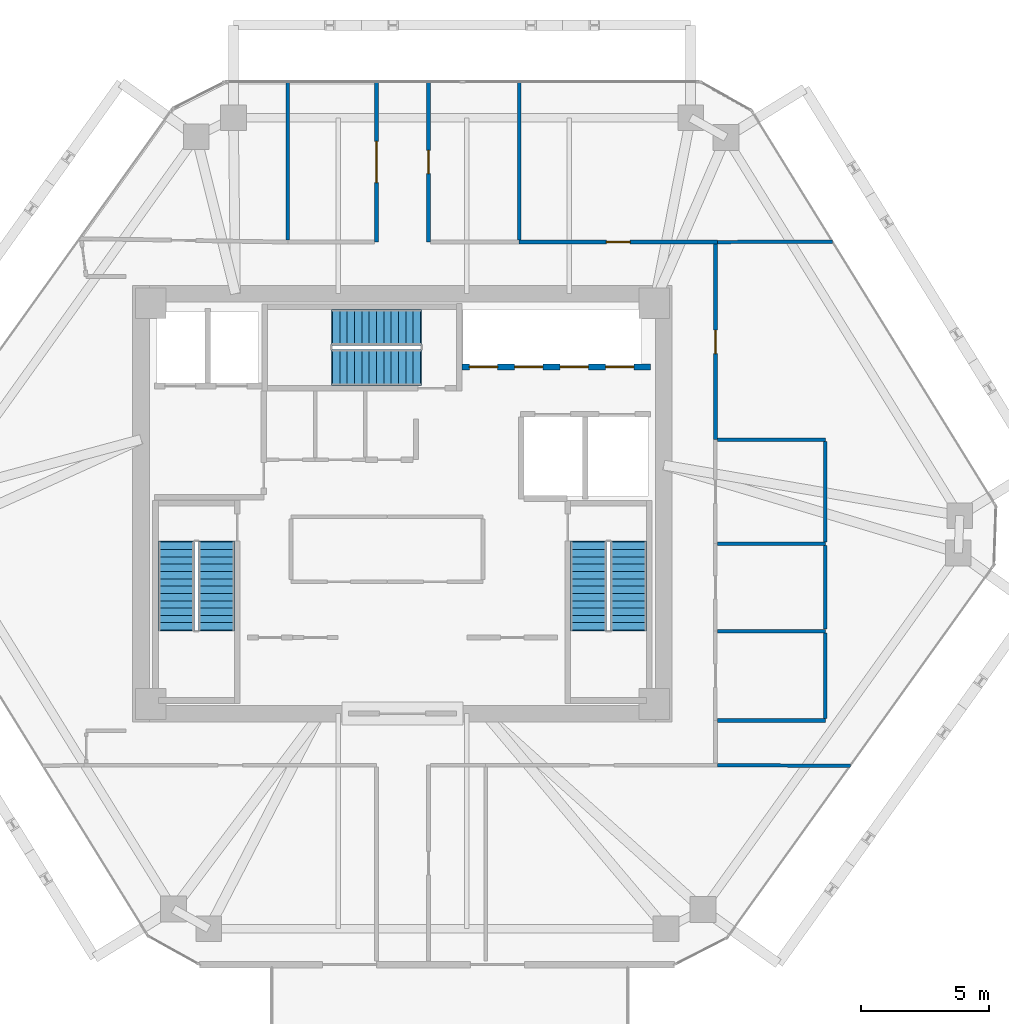
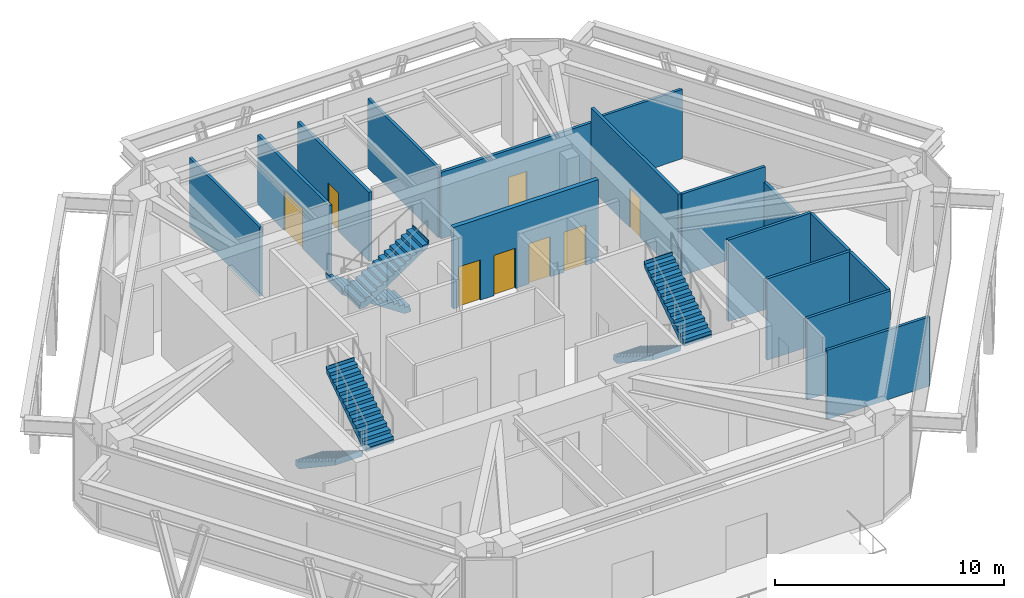
# One storey, part 10 of 12: 16 walls, 8 doors, 6 stair flights, 8 openings, 3 elements without a shape of their own.
"""IFC4 building model written with IfcOpenShell, lengths in metres."""

from ifc_helpers import new_model, si_unit, direction, frame, frame_2d, origin, place, context, subcontext, project, spatial, polyline, rectangle, outline, extrude, source, transform, mapped, material, layer, layer_set, type_object, type_shapes, element, fill, aggregate, save


model = new_model("IFC4")

# Units and contexts
model_context = context("Model", 3, precision=1e-05, world=origin(), true_north=direction((0.0, 1.0)))
body_context = subcontext(model_context, "Body", "Model", "MODEL_VIEW")
ifc_project = project(units=[si_unit("LENGTHUNIT", "METRE"), si_unit("AREAUNIT", "SQUARE_METRE"), si_unit("VOLUMEUNIT", "CUBIC_METRE"), si_unit("PLANEANGLEUNIT", "RADIAN"), si_unit("MASSUNIT", "GRAM", prefix="KILO")], contexts=[model_context])

# Site, building, storey
site_placement = place(None, origin())
site = spatial("IfcSite", under=ifc_project, at=site_placement, CompositionType="ELEMENT")
building_placement = place(site_placement, origin())
building = spatial("IfcBuilding", under=site, at=building_placement, Name="Durnholm Broadcast Tower", CompositionType="ELEMENT")
storey_placement = place(building_placement, frame((0.0, 0.0, 162.60009765625)))
storey = spatial("IfcBuildingStorey", under=building, at=storey_placement, Name="L44", CompositionType="ELEMENT", Elevation=162.60009765625)

# Walls
ifc_material_1 = material(Name="Gypsum Metal Stud Partition", Category="concrete")
ifc_layer_1 = layer(ifc_material_1, 0.135009765625)
ifc_layer_set_1 = layer_set([ifc_layer_1], Name="Gypsum Metal Stud Partition")
wall_type_1 = type_object("IfcWallType", Name="WALL-PART-135", PredefinedType="PARTITIONING", material=ifc_layer_set_1)
for number, where, z_axis, x_axis, name in (
    (1, (-4.4599609375, 16.41796875, 0.0), (0.0, 0.0, 1.0), (0.0, -1.0, 0.0), "L44 room dividing partition 12.13"),
    (2, (4.5400390625, 16.41796875, 0.0), (0.0, 0.0, 1.0), (0.0, -1.0, 0.0), "L44 room dividing partition 14.15"),
):
    element("IfcWall", number, at=place(storey_placement, frame(where, z_axis=z_axis, x_axis=x_axis)), inside=storey, type_object=wall_type_1, Name=name, PredefinedType="PARTITIONING", context=body_context, shape_type="SweptSolid", body=[
        extrude(rectangle(XDim=6.158935546875, YDim=0.135009765625, at=frame_2d((3.07958984375, 0.0))), origin(), (0.0, 0.0, 1.0), 3.69873046875),
    ])
wall_1_placement = place(storey_placement, frame((16.739990234375, 10.200927734375, 0.0), z_axis=(0.0, 0.0, 1.0), x_axis=(-0.999989522694, -0.004577608714, 0.0)))
element("IfcWall", 3, at=wall_1_placement, inside=storey, type_object=wall_type_1, Name="L44 room dividing partition 15.21", PredefinedType="PARTITIONING", context=body_context, shape_type="SweptSolid", body=[
    extrude(rectangle(XDim=4.47998046875, YDim=0.135009765625, at=frame_2d((2.239990234375, 0.0))), origin(), (0.0, 0.0, 1.0), 3.69873046875),
])
wall_2_placement = place(storey_placement, frame((12.260009765625, -10.180419921875, 0.0), z_axis=(0.0, 0.0, 1.0), x_axis=(0.999990144117, -0.004439782427, 0.0)))
element("IfcWall", 4, at=wall_2_placement, inside=storey, type_object=wall_type_1, Name="L44 room dividing partition 18.21", PredefinedType="PARTITIONING", context=body_context, shape_type="SweptSolid", body=[
    extrude(rectangle(XDim=5.1689453125, YDim=0.135009765625, at=frame_2d((2.58447265625, 0.0))), origin(), (0.0, 0.0, 1.0), 3.69873046875),
])

# Wall, opening, door
ifc_material_2 = material(Name="Acoustic Gypsum Stud Partition", Category="concrete")
ifc_layer_2 = layer(ifc_material_2, 0.14990234375)
ifc_layer_set_2 = layer_set([ifc_layer_2], Name="Acoustic Gypsum Stud Partition")
wall_type_2 = type_object("IfcWallType", Name="WALL-PART-150", PredefinedType="PARTITIONING", material=ifc_layer_set_2)
wall_3_placement = place(storey_placement, frame((-1.010009765625, 16.41796875, 0.0), z_axis=(0.0, 0.0, 1.0), x_axis=(0.0, -1.0, 0.0)))
wall_3 = element("IfcWall", 5, at=wall_3_placement, inside=storey, type_object=wall_type_2, Name="L44 Fitness Wellness Hall corridor partition", PredefinedType="PARTITIONING", context=body_context, shape_type="SweptSolid", body=[
    extrude(rectangle(XDim=6.238037109375, YDim=0.14990234375, at=frame_2d((3.119140625, 0.0))), origin(), (0.0, 0.0, 1.0), 3.69873046875),
])
opening_1_placement = place(wall_3_placement, frame((2.319091796875, 0.0, 0.0)))
opening_1 = element("IfcOpeningElement", 6, at=opening_1_placement, cuts=wall_3, Name="Opening DST-160", PredefinedType="OPENING", context=body_context, shape_type="SweptSolid", body=[
    extrude(rectangle(XDim=1.60009765625, YDim=2.14990234375, at=frame_2d((0.800048828125, 1.074951171875))), frame((0.0, 0.0849609375, 0.0), z_axis=(0.0, -1.0, 0.0), x_axis=(1.0, 0.0, 0.0)), (0.0, 0.0, 1.0), 0.169921875),
])
ifc_material_3 = material(Name="Acoustic Broadcast Studio Sound-Lock Door", Category="steel")
ifc_layer_3 = layer(ifc_material_3, 0.050048828125)
ifc_layer_set_3 = layer_set([ifc_layer_3], Name="Acoustic Broadcast Studio Sound-Lock Door")
door_type_1 = type_object("IfcDoorType", Name="DOOR-STU-1600", OperationType="DOUBLE_DOOR_SINGLE_SWING", PredefinedType="DOOR", material=ifc_layer_set_3)
shared_shape_1 = source(origin(), body_context, "Body", "SweptSolid", [
    extrude(rectangle(XDim=1.60009765625, YDim=2.14990234375, at=frame_2d((0.800048828125, 1.074951171875))), frame((0.0, 0.02490234375, 0.0), z_axis=(0.0, -1.0, 0.0), x_axis=(1.0, 0.0, 0.0)), (0.0, 0.0, 1.0), 0.050048828125),
])
type_shapes(door_type_1, [shared_shape_1])
door_1_placement = place(opening_1_placement, origin())
door_1 = element("IfcDoor", 7, at=door_1_placement, inside=storey, type_object=door_type_1, Name="L44 Fitness Wellness Hall entrance door", OperationType="DOUBLE_DOOR_SINGLE_SWING", OverallHeight=2.14990234375, OverallWidth=1.60009765625, PredefinedType="DOOR", context=body_context, shape_type="MappedRepresentation", body=[
    mapped(shared_shape_1, transform((0.0, 0.0, 0.0), x_axis=(1.0, 0.0, 0.0), y_axis=(0.0, 1.0, 0.0), z_axis=(0.0, 0.0, 1.0), scale=1.0)),
])
fill(opening_1, door_1)

wall_4_placement = place(storey_placement, frame((1.010009765625, 10.179931640625, 0.0), z_axis=(0.0, 0.0, 1.0), x_axis=(0.0, 1.0, 0.0)))
wall_4 = element("IfcWall", 8, at=wall_4_placement, inside=storey, type_object=wall_type_2, Name="L44 Pool Locker Store corridor partition", PredefinedType="PARTITIONING", context=body_context, shape_type="SweptSolid", body=[
    extrude(rectangle(XDim=6.238037109375, YDim=0.14990234375, at=frame_2d((3.119140625, 0.0))), origin(), (0.0, 0.0, 1.0), 3.69873046875),
])
opening_2_placement = place(wall_4_placement, frame((2.6689453125, 0.0, 0.0)))
opening_2 = element("IfcOpeningElement", 9, at=opening_2_placement, cuts=wall_4, Name="Opening DC-60L", PredefinedType="OPENING", context=body_context, shape_type="SweptSolid", body=[
    extrude(rectangle(XDim=0.89990234375, YDim=2.050048828125, at=frame_2d((0.449951171875, 1.02490234375))), frame((0.0, 0.0849609375, 0.0), z_axis=(0.0, -1.0, 0.0), x_axis=(1.0, 0.0, 0.0)), (0.0, 0.0, 1.0), 0.169921875),
])
ifc_material_4 = material(Name="Fire-Rated Core Service Door", Category="steel")
ifc_layer_4 = layer(ifc_material_4, 0.050048828125)
ifc_layer_set_4 = layer_set([ifc_layer_4], Name="Fire-Rated Core Service Door")
door_type_2 = type_object("IfcDoorType", Name="DOOR-CORE-FD60-L", OperationType="NOTDEFINED", PredefinedType="DOOR", material=ifc_layer_set_4)
shared_shape_2 = source(origin(), body_context, "Body", "SweptSolid", [
    extrude(rectangle(XDim=0.89990234375, YDim=2.050048828125, at=frame_2d((0.449951171875, 1.02490234375))), frame((0.0, 0.02490234375, 0.0), z_axis=(0.0, -1.0, 0.0), x_axis=(1.0, 0.0, 0.0)), (0.0, 0.0, 1.0), 0.050048828125),
])
type_shapes(door_type_2, [shared_shape_2])
door_2_placement = place(opening_2_placement, origin())
door_2 = element("IfcDoor", 10, at=door_2_placement, inside=storey, type_object=door_type_2, Name="L44 Pool Locker Store entrance door", OperationType="SINGLE_SWING_LEFT", OverallHeight=2.050048828125, OverallWidth=0.89990234375, PredefinedType="DOOR", context=body_context, shape_type="MappedRepresentation", body=[
    mapped(shared_shape_2, transform((0.0, 0.0, 0.0), x_axis=(1.0, 0.0, 0.0), y_axis=(0.0, 1.0, 0.0), z_axis=(0.0, 0.0, 1.0), scale=1.0)),
])
fill(opening_2, door_2)

wall_5_placement = place(storey_placement, frame((12.260009765625, 10.179931640625, 0.0), z_axis=(0.0, 0.0, 1.0), x_axis=(-1.0, 0.0, 0.0)))
wall_5 = element("IfcWall", 11, at=wall_5_placement, inside=storey, type_object=wall_type_2, Name="L44 Open Plan Broadcast Workspace 5 corridor partition", PredefinedType="PARTITIONING", context=body_context, shape_type="SweptSolid", body=[
    extrude(rectangle(XDim=7.719970703125, YDim=0.14990234375, at=frame_2d((3.85986328125, 0.0))), origin(), (0.0, 0.0, 1.0), 3.541748046875),
])
opening_3_placement = place(wall_5_placement, frame((3.39990234375, 0.0, 0.0)))
opening_3 = element("IfcOpeningElement", 12, at=opening_3_placement, cuts=wall_5, Name="Opening DR-92R", PredefinedType="OPENING", context=body_context, shape_type="SweptSolid", body=[
    extrude(rectangle(XDim=0.919921875, YDim=2.10009765625, at=frame_2d((0.4599609375, 1.050048828125))), frame((0.0, 0.0849609375, 0.0), z_axis=(0.0, -1.0, 0.0), x_axis=(1.0, 0.0, 0.0)), (0.0, 0.0, 1.0), 0.169921875),
])
ifc_material_5 = material(Name="Oak Veneer Office Door", Category="wood")
ifc_layer_5 = layer(ifc_material_5, 0.050048828125)
ifc_layer_set_5 = layer_set([ifc_layer_5], Name="Oak Veneer Office Door")
door_type_3 = type_object("IfcDoorType", Name="DOOR-RM-920R", OperationType="NOTDEFINED", PredefinedType="DOOR", material=ifc_layer_set_5)
shared_shape_3 = source(origin(), body_context, "Body", "SweptSolid", [
    extrude(rectangle(XDim=0.919921875, YDim=2.10009765625, at=frame_2d((0.4599609375, 1.050048828125))), frame((0.0, 0.02490234375, 0.0), z_axis=(0.0, -1.0, 0.0), x_axis=(1.0, 0.0, 0.0)), (0.0, 0.0, 1.0), 0.050048828125),
])
type_shapes(door_type_3, [shared_shape_3])
door_3_placement = place(opening_3_placement, origin())
door_3 = element("IfcDoor", 13, at=door_3_placement, inside=storey, type_object=door_type_3, Name="L44 Open Plan Broadcast Workspace 5 entrance door", OperationType="SINGLE_SWING_RIGHT", OverallHeight=2.10009765625, OverallWidth=0.919921875, PredefinedType="DOOR", context=body_context, shape_type="MappedRepresentation", body=[
    mapped(shared_shape_3, transform((0.0, 0.0, 0.0), x_axis=(1.0, 0.0, 0.0), y_axis=(0.0, 1.0, 0.0), z_axis=(0.0, 0.0, 1.0), scale=1.0)),
])
fill(opening_3, door_3)

wall_6_placement = place(storey_placement, frame((12.179931640625, 2.489990234375, 0.0), z_axis=(0.0, 0.0, 1.0), x_axis=(0.0, 1.0, 0.0)))
wall_6 = element("IfcWall", 14, at=wall_6_placement, inside=storey, type_object=wall_type_2, Name="L44 Club Dining Room corridor partition", PredefinedType="PARTITIONING", context=body_context, shape_type="SweptSolid", body=[
    extrude(rectangle(XDim=7.611083984375, YDim=0.14990234375, at=frame_2d((3.8056640625, 0.0))), origin(), (0.0, 0.0, 1.0), 4.344970703125),
])
opening_4_placement = place(wall_6_placement, frame((3.345458984375, 0.0, 0.0)))
opening_4 = element("IfcOpeningElement", 15, at=opening_4_placement, cuts=wall_6, Name="Opening DR-92R", PredefinedType="OPENING", context=body_context, shape_type="SweptSolid", body=[
    extrude(rectangle(XDim=0.919921875, YDim=2.10009765625, at=frame_2d((0.4599609375, 1.050048828125))), frame((0.0, 0.0849609375, 0.0), z_axis=(0.0, -1.0, 0.0), x_axis=(1.0, 0.0, 0.0)), (0.0, 0.0, 1.0), 0.169921875),
])
door_4_placement = place(opening_4_placement, origin())
door_4 = element("IfcDoor", 16, at=door_4_placement, inside=storey, type_object=door_type_3, Name="L44 Club Dining Room entrance door", OperationType="SINGLE_SWING_RIGHT", OverallHeight=2.10009765625, OverallWidth=0.919921875, PredefinedType="DOOR", context=body_context, shape_type="MappedRepresentation", body=[
    mapped(shared_shape_3, transform((0.0, 0.0, 0.0), x_axis=(1.0, 0.0, 0.0), y_axis=(0.0, 1.0, 0.0), z_axis=(0.0, 0.0, 1.0), scale=1.0)),
])
fill(opening_4, door_4)

# Wall, openings, doors
ifc_material_6 = material(Name="Concrete Blockwork C30/37", Category="masonry")
ifc_layer_6 = layer(ifc_material_6, 0.219970703125)
ifc_layer_set_6 = layer_set([ifc_layer_6], Name="Concrete Blockwork C30/37")
wall_type_3 = type_object("IfcWallType", Name="WALL-SHAFT-220", PredefinedType="SOLIDWALL", material=ifc_layer_set_6)
wall_7_placement = place(storey_placement, frame((2.324951171875, 5.320068359375, 0.0), z_axis=(0.0, 0.0, 1.0), x_axis=(1.0, 0.0, 0.0)))
wall_7 = element("IfcWall", 17, at=wall_7_placement, inside=storey, type_object=wall_type_3, Name="L44 high-rise bank P3 south front wall", PredefinedType="SOLIDWALL", context=body_context, shape_type="SweptSolid", body=[
    extrude(rectangle(XDim=7.324951171875, YDim=0.219970703125, at=frame_2d((3.66259765625, 0.0))), origin(), (0.0, 0.0, 1.0), 4.344970703125),
])
opening_5_placement = place(wall_7_placement, frame((0.27490234375, 0.0, 0.0)))
opening_5 = element("IfcOpeningElement", 18, at=opening_5_placement, cuts=wall_7, Name="Opening LD-LP3-1", PredefinedType="OPENING", context=body_context, shape_type="SweptSolid", body=[
    extrude(rectangle(XDim=1.10009765625, YDim=2.14990234375, at=frame_2d((0.550048828125, 1.074951171875))), frame((0.0, 0.1201171875, 0.0), z_axis=(0.0, -1.0, 0.0), x_axis=(1.0, 0.0, 0.0)), (0.0, 0.0, 1.0), 0.239990234375),
])
opening_6_placement = place(wall_7_placement, frame((2.044921875, 0.0, 0.0)))
opening_6 = element("IfcOpeningElement", 19, at=opening_6_placement, cuts=wall_7, Name="Opening LD-LP3-2", PredefinedType="OPENING", context=body_context, shape_type="SweptSolid", body=[
    extrude(rectangle(XDim=1.10009765625, YDim=2.14990234375, at=frame_2d((0.550048828125, 1.074951171875))), frame((0.0, 0.1201171875, 0.0), z_axis=(0.0, -1.0, 0.0), x_axis=(1.0, 0.0, 0.0)), (0.0, 0.0, 1.0), 0.239990234375),
])
opening_7_placement = place(wall_7_placement, frame((3.81494140625, 0.0, 0.0)))
opening_7 = element("IfcOpeningElement", 20, at=opening_7_placement, cuts=wall_7, Name="Opening LD-LP3-3", PredefinedType="OPENING", context=body_context, shape_type="SweptSolid", body=[
    extrude(rectangle(XDim=1.10009765625, YDim=2.14990234375, at=frame_2d((0.550048828125, 1.074951171875))), frame((0.0, 0.1201171875, 0.0), z_axis=(0.0, -1.0, 0.0), x_axis=(1.0, 0.0, 0.0)), (0.0, 0.0, 1.0), 0.239990234375),
])
opening_8_placement = place(wall_7_placement, frame((5.5849609375, 0.0, 0.0)))
opening_8 = element("IfcOpeningElement", 21, at=opening_8_placement, cuts=wall_7, Name="Opening LD-LP3-4", PredefinedType="OPENING", context=body_context, shape_type="SweptSolid", body=[
    extrude(rectangle(XDim=1.10009765625, YDim=2.14990234375, at=frame_2d((0.550048828125, 1.074951171875))), frame((0.0, 0.1201171875, 0.0), z_axis=(0.0, -1.0, 0.0), x_axis=(1.0, 0.0, 0.0)), (0.0, 0.0, 1.0), 0.239990234375),
])
ifc_material_7 = material(Name="Stainless Steel Sliding Elevator Landing Door", Category="steel")
ifc_layer_7 = layer(ifc_material_7, 0.050048828125)
ifc_layer_set_7 = layer_set([ifc_layer_7], Name="Stainless Steel Sliding Elevator Landing Door")
door_type_4 = type_object("IfcDoorType", Name="DOOR-LIFT-PAX", OperationType="DOUBLE_DOOR_SLIDING", PredefinedType="DOOR", material=ifc_layer_set_7)
shared_shape_4 = source(origin(), body_context, "Body", "SweptSolid", [
    extrude(rectangle(XDim=1.10009765625, YDim=2.14990234375, at=frame_2d((0.550048828125, 1.074951171875))), frame((0.0, 0.02490234375, 0.0), z_axis=(0.0, -1.0, 0.0), x_axis=(1.0, 0.0, 0.0)), (0.0, 0.0, 1.0), 0.050048828125),
])
type_shapes(door_type_4, [shared_shape_4])
door_5_placement = place(opening_5_placement, origin())
door_5 = element("IfcDoor", 22, at=door_5_placement, inside=storey, type_object=door_type_4, Name="L44 high-rise elevator LP3-1 sliding landing door", OperationType="DOUBLE_DOOR_SLIDING", OverallHeight=2.14990234375, OverallWidth=1.10009765625, PredefinedType="DOOR", context=body_context, shape_type="MappedRepresentation", body=[
    mapped(shared_shape_4, transform((0.0, 0.0, 0.0), x_axis=(1.0, 0.0, 0.0), y_axis=(0.0, 1.0, 0.0), z_axis=(0.0, 0.0, 1.0), scale=1.0)),
])
fill(opening_5, door_5)
door_6_placement = place(opening_6_placement, origin())
door_6 = element("IfcDoor", 23, at=door_6_placement, inside=storey, type_object=door_type_4, Name="L44 high-rise elevator LP3-2 sliding landing door", OperationType="DOUBLE_DOOR_SLIDING", OverallHeight=2.14990234375, OverallWidth=1.10009765625, PredefinedType="DOOR", context=body_context, shape_type="MappedRepresentation", body=[
    mapped(shared_shape_4, transform((0.0, 0.0, 0.0), x_axis=(1.0, 0.0, 0.0), y_axis=(0.0, 1.0, 0.0), z_axis=(0.0, 0.0, 1.0), scale=1.0)),
])
fill(opening_6, door_6)
door_7_placement = place(opening_7_placement, origin())
door_7 = element("IfcDoor", 24, at=door_7_placement, inside=storey, type_object=door_type_4, Name="L44 high-rise elevator LP3-3 sliding landing door", OperationType="DOUBLE_DOOR_SLIDING", OverallHeight=2.14990234375, OverallWidth=1.10009765625, PredefinedType="DOOR", context=body_context, shape_type="MappedRepresentation", body=[
    mapped(shared_shape_4, transform((0.0, 0.0, 0.0), x_axis=(1.0, 0.0, 0.0), y_axis=(0.0, 1.0, 0.0), z_axis=(0.0, 0.0, 1.0), scale=1.0)),
])
fill(opening_7, door_7)
door_8_placement = place(opening_8_placement, origin())
door_8 = element("IfcDoor", 25, at=door_8_placement, inside=storey, type_object=door_type_4, Name="L44 high-rise elevator LP3-4 sliding landing door", OperationType="DOUBLE_DOOR_SLIDING", OverallHeight=2.14990234375, OverallWidth=1.10009765625, PredefinedType="DOOR", context=body_context, shape_type="MappedRepresentation", body=[
    mapped(shared_shape_4, transform((0.0, 0.0, 0.0), x_axis=(1.0, 0.0, 0.0), y_axis=(0.0, 1.0, 0.0), z_axis=(0.0, 0.0, 1.0), scale=1.0)),
])
fill(opening_8, door_8)

# Walls
ifc_material_8 = material(Name="Moisture-Resistant Tile Partition", Category="concrete")
ifc_layer_8 = layer(ifc_material_8, 0.139892578125)
ifc_layer_set_8 = layer_set([ifc_layer_8], Name="Moisture-Resistant Tile Partition")
wall_type_4 = type_object("IfcWallType", Name="WALL-WC-140", PredefinedType="PARTITIONING", material=ifc_layer_set_8)
wall_8_placement = place(storey_placement, frame((12.25390625, -4.9599609375, 0.0), z_axis=(0.0, 0.0, 1.0), x_axis=(1.0, 0.0, 0.0)))
element("IfcWall", 26, at=wall_8_placement, inside=storey, type_object=wall_type_4, Name="L44 room dividing partition 9.10", PredefinedType="PARTITIONING", context=body_context, shape_type="SweptSolid", body=[
    extrude(rectangle(XDim=4.2060546875, YDim=0.139892578125, at=frame_2d((2.10302734375, 0.0))), origin(), (0.0, 0.0, 1.0), 4.344970703125),
])
wall_9_placement = place(storey_placement, frame((16.4599609375, -8.43994140625, 0.0), z_axis=(0.0, 0.0, 1.0), x_axis=(-1.0, 0.0, 0.0)))
element("IfcWall", 27, at=wall_9_placement, inside=storey, type_object=wall_type_4, Name="L44 room dividing partition 9.21", PredefinedType="PARTITIONING", context=body_context, shape_type="SweptSolid", body=[
    extrude(rectangle(XDim=4.200927734375, YDim=0.139892578125, at=frame_2d((2.1005859375, 0.0))), origin(), (0.0, 0.0, 1.0), 4.344970703125),
])
wall_10_placement = place(storey_placement, frame((16.4599609375, -5.033935546875, 0.0), z_axis=(0.0, 0.0, 1.0), x_axis=(0.0, -1.0, 0.0)))
element("IfcWall", 28, at=wall_10_placement, inside=storey, type_object=wall_type_4, Name="L44 room dividing partition 9.21", PredefinedType="PARTITIONING", context=body_context, shape_type="SweptSolid", body=[
    extrude(rectangle(XDim=3.33203125, YDim=0.139892578125, at=frame_2d((1.666015625, 0.0))), origin(), (0.0, 0.0, 1.0), 4.344970703125),
])
wall_11_placement = place(storey_placement, frame((12.25390625, -1.56005859375, 0.0), z_axis=(0.0, 0.0, 1.0), x_axis=(1.0, 0.0, 0.0)))
element("IfcWall", 29, at=wall_11_placement, inside=storey, type_object=wall_type_4, Name="L44 room dividing partition 10.11", PredefinedType="PARTITIONING", context=body_context, shape_type="SweptSolid", body=[
    extrude(rectangle(XDim=4.2060546875, YDim=0.139892578125, at=frame_2d((2.10302734375, 0.0))), origin(), (0.0, 0.0, 1.0), 4.344970703125),
])
wall_12_placement = place(storey_placement, frame((16.4599609375, -1.634033203125, 0.0), z_axis=(0.0, 0.0, 1.0), x_axis=(0.0, -1.0, 0.0)))
element("IfcWall", 30, at=wall_12_placement, inside=storey, type_object=wall_type_4, Name="L44 room dividing partition 10.21", PredefinedType="PARTITIONING", context=body_context, shape_type="SweptSolid", body=[
    extrude(rectangle(XDim=3.251953125, YDim=0.139892578125, at=frame_2d((1.6259765625, 0.0))), origin(), (0.0, 0.0, 1.0), 4.344970703125),
])
wall_13_placement = place(storey_placement, frame((12.259033203125, 2.489990234375, 0.0), z_axis=(0.0, 0.0, 1.0), x_axis=(1.0, 0.0, 0.0)))
element("IfcWall", 31, at=wall_13_placement, inside=storey, type_object=wall_type_4, Name="L44 room dividing partition 11.21", PredefinedType="PARTITIONING", context=body_context, shape_type="SweptSolid", body=[
    extrude(rectangle(XDim=4.200927734375, YDim=0.139892578125, at=frame_2d((2.1005859375, 0.0))), origin(), (0.0, 0.0, 1.0), 4.344970703125),
])
wall_14_placement = place(storey_placement, frame((16.4599609375, 2.416015625, 0.0), z_axis=(0.0, 0.0, 1.0), x_axis=(0.0, -1.0, 0.0)))
element("IfcWall", 32, at=wall_14_placement, inside=storey, type_object=wall_type_4, Name="L44 room dividing partition 11.21", PredefinedType="PARTITIONING", context=body_context, shape_type="SweptSolid", body=[
    extrude(rectangle(XDim=3.902099609375, YDim=0.139892578125, at=frame_2d((1.951171875, 0.0))), origin(), (0.0, 0.0, 1.0), 3.541748046875),
])

# Stair, stair flights
ifc_material_9 = material(Name="Concrete C50/60", Category="concrete")
stair_type = type_object("IfcStairType", Name="STAIR-DL-26R1769", PredefinedType="HALF_TURN_STAIR", material=ifc_material_9)
stair_1_placement = place(storey_placement, origin())
stair_1 = element("IfcStair", 33, at=stair_1_placement, inside=storey, type_object=stair_type, Name="L44 ST-1", PredefinedType="HALF_TURN_STAIR")
stair_flight_type = type_object("IfcStairFlightType", Name="FLIGHT-DL-26R1769", PredefinedType="STRAIGHT", material=ifc_material_9)
stair_flight_1_placement = place(storey_placement, frame((-8.800048828125, -1.5, 0.0), z_axis=(0.0, 0.0, 1.0), x_axis=(0.0, -1.0, 0.0)))
stair_flight_1 = element("IfcStairFlight", 34, at=stair_flight_1_placement, type_object=stair_flight_type, Name="ST-1 flight 1", NumberOfRisers=13, NumberOfTreads=12, PredefinedType="STRAIGHT", RiserHeight=0.176923077, TreadLength=0.285, context=body_context, shape_type="SweptSolid", body=[
    extrude(outline(polyline([(-0.0400390625, -0.14990234375), (-0.0400390625, 0.0), (0.0, 0.0), (0.0, 0.177001953125), (0.284912109375, 0.177001953125), (0.284912109375, 0.353759765625), (0.570068359375, 0.353759765625), (0.570068359375, 0.53076171875), (0.85498046875, 0.53076171875), (0.85498046875, 0.707763671875), (1.139892578125, 0.707763671875), (1.139892578125, 0.884521484375), (1.425048828125, 0.884521484375), (1.425048828125, 1.0615234375), (1.7099609375, 1.0615234375), (1.7099609375, 1.238525390625), (1.9951171875, 1.238525390625), (1.9951171875, 1.415283203125), (2.280029296875, 1.415283203125), (2.280029296875, 1.59228515625), (2.56494140625, 1.59228515625), (2.56494140625, 1.769287109375), (2.85009765625, 1.769287109375), (2.85009765625, 1.946044921875), (3.135009765625, 1.946044921875), (3.135009765625, 2.123046875), (3.419921875, 2.123046875), (3.419921875, 2.300048828125), (3.4599609375, 2.300048828125), (3.4599609375, 2.150146484375), (3.419921875, 1.946533203125), (0.2841796875, -0.14990234375), (-0.0400390625, -0.14990234375)])), frame((0.0, 0.699951171875, 0.0), z_axis=(0.0, -1.0, 0.0), x_axis=(1.0, 0.0, 0.0)), (0.0, 0.0, 1.0), 1.39990234375),
])
stair_flight_2_placement = place(storey_placement, frame((-7.239990234375, -4.919921875, 2.2998046875), z_axis=(0.0, 0.0, 1.0), x_axis=(0.0, 1.0, 0.0)))
stair_flight_2 = element("IfcStairFlight", 35, at=stair_flight_2_placement, type_object=stair_flight_type, Name="ST-1 flight 2", NumberOfRisers=13, NumberOfTreads=12, PredefinedType="STRAIGHT", RiserHeight=0.176923077, TreadLength=0.285, context=body_context, shape_type="SweptSolid", body=[
    extrude(outline(polyline([(-0.0400390625, -0.14990234375), (-0.0400390625, 0.0), (0.0, 0.0), (0.0, 0.177001953125), (0.284912109375, 0.177001953125), (0.284912109375, 0.353759765625), (0.570068359375, 0.353759765625), (0.570068359375, 0.53076171875), (0.85498046875, 0.53076171875), (0.85498046875, 0.707763671875), (1.139892578125, 0.707763671875), (1.139892578125, 0.884521484375), (1.425048828125, 0.884521484375), (1.425048828125, 1.0615234375), (1.7099609375, 1.0615234375), (1.7099609375, 1.238525390625), (1.9951171875, 1.238525390625), (1.9951171875, 1.415283203125), (2.280029296875, 1.415283203125), (2.280029296875, 1.59228515625), (2.56494140625, 1.59228515625), (2.56494140625, 1.769287109375), (2.85009765625, 1.769287109375), (2.85009765625, 1.946044921875), (3.135009765625, 1.946044921875), (3.135009765625, 2.123046875), (3.419921875, 2.123046875), (3.419921875, 2.300048828125), (3.4599609375, 2.300048828125), (3.4599609375, 2.150146484375), (3.419921875, 1.946533203125), (0.2841796875, -0.14990234375), (-0.0400390625, -0.14990234375)])), frame((0.0, 0.699951171875, 0.0), z_axis=(0.0, -1.0, 0.0), x_axis=(1.0, 0.0, 0.0)), (0.0, 0.0, 1.0), 1.39990234375),
])
aggregate(stair_1, [stair_flight_1, stair_flight_2])

stair_2_placement = place(storey_placement, origin())
stair_2 = element("IfcStair", 36, at=stair_2_placement, inside=storey, type_object=stair_type, Name="L44 ST-2", PredefinedType="HALF_TURN_STAIR")
stair_flight_3_placement = place(storey_placement, frame((7.239990234375, -1.5, 0.0), z_axis=(0.0, 0.0, 1.0), x_axis=(0.0, -1.0, 0.0)))
stair_flight_3 = element("IfcStairFlight", 37, at=stair_flight_3_placement, type_object=stair_flight_type, Name="ST-2 flight 1", NumberOfRisers=13, NumberOfTreads=12, PredefinedType="STRAIGHT", RiserHeight=0.176923077, TreadLength=0.285, context=body_context, shape_type="SweptSolid", body=[
    extrude(outline(polyline([(-0.0400390625, -0.14990234375), (-0.0400390625, 0.0), (0.0, 0.0), (0.0, 0.177001953125), (0.284912109375, 0.177001953125), (0.284912109375, 0.353759765625), (0.570068359375, 0.353759765625), (0.570068359375, 0.53076171875), (0.85498046875, 0.53076171875), (0.85498046875, 0.707763671875), (1.139892578125, 0.707763671875), (1.139892578125, 0.884521484375), (1.425048828125, 0.884521484375), (1.425048828125, 1.0615234375), (1.7099609375, 1.0615234375), (1.7099609375, 1.238525390625), (1.9951171875, 1.238525390625), (1.9951171875, 1.415283203125), (2.280029296875, 1.415283203125), (2.280029296875, 1.59228515625), (2.56494140625, 1.59228515625), (2.56494140625, 1.769287109375), (2.85009765625, 1.769287109375), (2.85009765625, 1.946044921875), (3.135009765625, 1.946044921875), (3.135009765625, 2.123046875), (3.419921875, 2.123046875), (3.419921875, 2.300048828125), (3.4599609375, 2.300048828125), (3.4599609375, 2.150146484375), (3.419921875, 1.946533203125), (0.2841796875, -0.14990234375), (-0.0400390625, -0.14990234375)])), frame((0.0, 0.699951171875, 0.0), z_axis=(0.0, -1.0, 0.0), x_axis=(1.0, 0.0, 0.0)), (0.0, 0.0, 1.0), 1.39990234375),
])
stair_flight_4_placement = place(storey_placement, frame((8.800048828125, -4.919921875, 2.2998046875), z_axis=(0.0, 0.0, 1.0), x_axis=(0.0, 1.0, 0.0)))
stair_flight_4 = element("IfcStairFlight", 38, at=stair_flight_4_placement, type_object=stair_flight_type, Name="ST-2 flight 2", NumberOfRisers=13, NumberOfTreads=12, PredefinedType="STRAIGHT", RiserHeight=0.176923077, TreadLength=0.285, context=body_context, shape_type="SweptSolid", body=[
    extrude(outline(polyline([(-0.0400390625, -0.14990234375), (-0.0400390625, 0.0), (0.0, 0.0), (0.0, 0.177001953125), (0.284912109375, 0.177001953125), (0.284912109375, 0.353759765625), (0.570068359375, 0.353759765625), (0.570068359375, 0.53076171875), (0.85498046875, 0.53076171875), (0.85498046875, 0.707763671875), (1.139892578125, 0.707763671875), (1.139892578125, 0.884521484375), (1.425048828125, 0.884521484375), (1.425048828125, 1.0615234375), (1.7099609375, 1.0615234375), (1.7099609375, 1.238525390625), (1.9951171875, 1.238525390625), (1.9951171875, 1.415283203125), (2.280029296875, 1.415283203125), (2.280029296875, 1.59228515625), (2.56494140625, 1.59228515625), (2.56494140625, 1.769287109375), (2.85009765625, 1.769287109375), (2.85009765625, 1.946044921875), (3.135009765625, 1.946044921875), (3.135009765625, 2.123046875), (3.419921875, 2.123046875), (3.419921875, 2.300048828125), (3.4599609375, 2.300048828125), (3.4599609375, 2.150146484375), (3.419921875, 1.946533203125), (0.2841796875, -0.14990234375), (-0.0400390625, -0.14990234375)])), frame((0.0, 0.699951171875, 0.0), z_axis=(0.0, -1.0, 0.0), x_axis=(1.0, 0.0, 0.0)), (0.0, 0.0, 1.0), 1.39990234375),
])
aggregate(stair_2, [stair_flight_3, stair_flight_4])

stair_3_placement = place(storey_placement, origin())
stair_3 = element("IfcStair", 39, at=stair_3_placement, inside=storey, type_object=stair_type, Name="L44 ST-3", PredefinedType="HALF_TURN_STAIR")
stair_flight_5_placement = place(storey_placement, frame((0.699951171875, 6.860107421875, 0.0), z_axis=(0.0, 0.0, 1.0), x_axis=(-1.0, 0.0, 0.0)))
stair_flight_5 = element("IfcStairFlight", 40, at=stair_flight_5_placement, type_object=stair_flight_type, Name="ST-3 flight 1", NumberOfRisers=13, NumberOfTreads=12, PredefinedType="STRAIGHT", RiserHeight=0.176923077, TreadLength=0.285, context=body_context, shape_type="SweptSolid", body=[
    extrude(outline(polyline([(-0.0400390625, -0.14990234375), (-0.0400390625, 0.0), (0.0, 0.0), (0.0, 0.177001953125), (0.284912109375, 0.177001953125), (0.284912109375, 0.353759765625), (0.570068359375, 0.353759765625), (0.570068359375, 0.53076171875), (0.85498046875, 0.53076171875), (0.85498046875, 0.707763671875), (1.139892578125, 0.707763671875), (1.139892578125, 0.884521484375), (1.425048828125, 0.884521484375), (1.425048828125, 1.0615234375), (1.7099609375, 1.0615234375), (1.7099609375, 1.238525390625), (1.9951171875, 1.238525390625), (1.9951171875, 1.415283203125), (2.280029296875, 1.415283203125), (2.280029296875, 1.59228515625), (2.56494140625, 1.59228515625), (2.56494140625, 1.769287109375), (2.85009765625, 1.769287109375), (2.85009765625, 1.946044921875), (3.135009765625, 1.946044921875), (3.135009765625, 2.123046875), (3.419921875, 2.123046875), (3.419921875, 2.300048828125), (3.4599609375, 2.300048828125), (3.4599609375, 2.150146484375), (3.419921875, 1.946533203125), (0.2841796875, -0.14990234375), (-0.0400390625, -0.14990234375)])), frame((0.0, 0.699951171875, 0.0), z_axis=(0.0, -1.0, 0.0), x_axis=(1.0, 0.0, 0.0)), (0.0, 0.0, 1.0), 1.39990234375),
])
stair_flight_6_placement = place(storey_placement, frame((-2.719970703125, 5.300048828125, 2.2998046875), z_axis=(0.0, 0.0, 1.0), x_axis=(1.0, 0.0, 0.0)))
stair_flight_6 = element("IfcStairFlight", 41, at=stair_flight_6_placement, type_object=stair_flight_type, Name="ST-3 flight 2", NumberOfRisers=13, NumberOfTreads=12, PredefinedType="STRAIGHT", RiserHeight=0.176923077, TreadLength=0.285, context=body_context, shape_type="SweptSolid", body=[
    extrude(outline(polyline([(-0.0400390625, -0.14990234375), (-0.0400390625, 0.0), (0.0, 0.0), (0.0, 0.177001953125), (0.284912109375, 0.177001953125), (0.284912109375, 0.353759765625), (0.570068359375, 0.353759765625), (0.570068359375, 0.53076171875), (0.85498046875, 0.53076171875), (0.85498046875, 0.707763671875), (1.139892578125, 0.707763671875), (1.139892578125, 0.884521484375), (1.425048828125, 0.884521484375), (1.425048828125, 1.0615234375), (1.7099609375, 1.0615234375), (1.7099609375, 1.238525390625), (1.9951171875, 1.238525390625), (1.9951171875, 1.415283203125), (2.280029296875, 1.415283203125), (2.280029296875, 1.59228515625), (2.56494140625, 1.59228515625), (2.56494140625, 1.769287109375), (2.85009765625, 1.769287109375), (2.85009765625, 1.946044921875), (3.135009765625, 1.946044921875), (3.135009765625, 2.123046875), (3.419921875, 2.123046875), (3.419921875, 2.300048828125), (3.4599609375, 2.300048828125), (3.4599609375, 2.150146484375), (3.419921875, 1.946533203125), (0.2841796875, -0.14990234375), (-0.0400390625, -0.14990234375)])), frame((0.0, 0.699951171875, 0.0), z_axis=(0.0, -1.0, 0.0), x_axis=(1.0, 0.0, 0.0)), (0.0, 0.0, 1.0), 1.39990234375),
])
aggregate(stair_3, [stair_flight_5, stair_flight_6])

save(model, "model.ifc")
